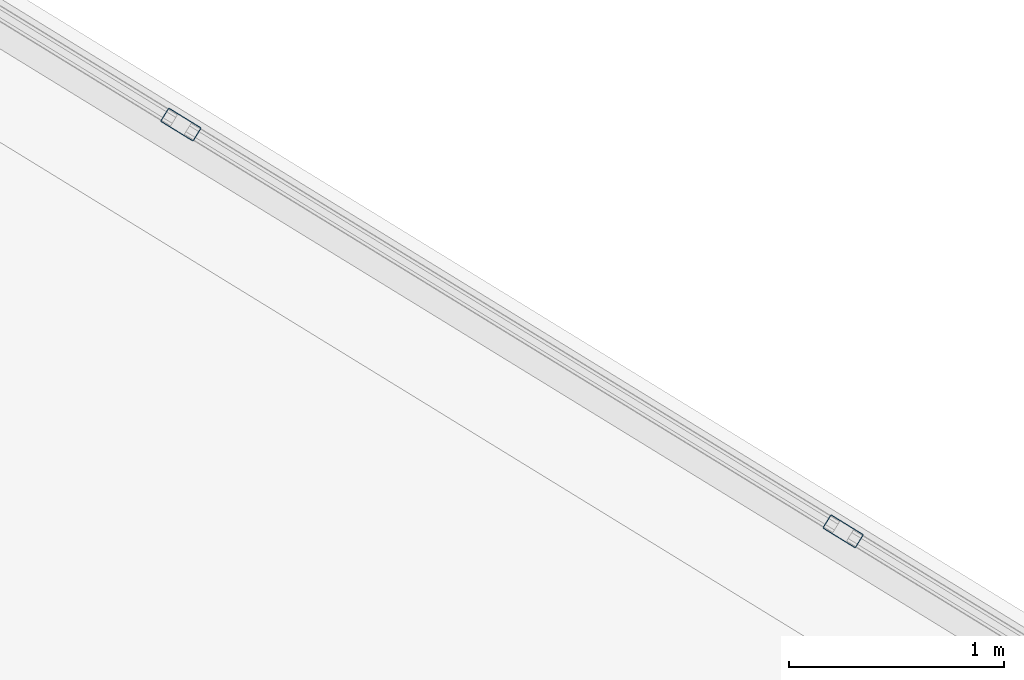
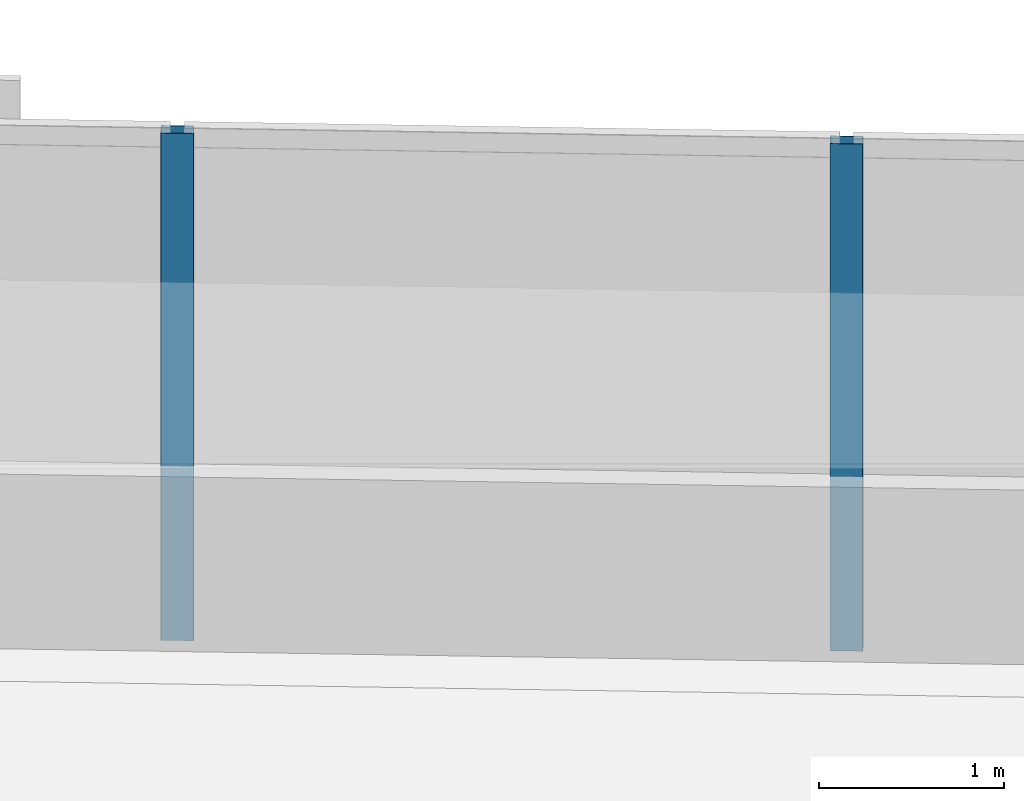
# One storey, part 8 of 18: 2 members, 1 element without a shape of its own.
"""IFC4 building model written with IfcOpenShell, lengths in metres."""

from ifc_helpers import new_model, si_unit, direction, frame, origin, origin_2d, place, context, subcontext, project, spatial, hollow_rectangle, extrude, material, material_profile, profile_set, type_object, element, aggregate, save


model = new_model("IFC4")

# Units and contexts
model_context = context("Model", 3, precision=1e-05, world=origin(), true_north=direction((0.0, 1.0)))
body_context = subcontext(model_context, "Body", "Model", "MODEL_VIEW")
ifc_project = project(units=[si_unit("LENGTHUNIT", "METRE"), si_unit("AREAUNIT", "SQUARE_METRE"), si_unit("VOLUMEUNIT", "CUBIC_METRE"), si_unit("PLANEANGLEUNIT", "RADIAN"), si_unit("MASSUNIT", "GRAM", prefix="KILO")], contexts=[model_context])

# Site, building, storey
site_placement = place(None, origin())
site = spatial("IfcSite", under=ifc_project, at=site_placement, CompositionType="ELEMENT")
building_placement = place(site_placement, origin())
building = spatial("IfcBuilding", under=site, at=building_placement, Name="Narakoshi Arena Tower", CompositionType="ELEMENT")
storey_placement = place(building_placement, frame((0.0, 0.0, 99.300048828125)))
storey = spatial("IfcBuildingStorey", under=building, at=storey_placement, Name="L26", CompositionType="ELEMENT", Elevation=99.300048828125)

# Curtain wall, members
ifc_material = material(Name="Anodised bronze aluminium 6063-T6", Category="aluminium")
curtain_wall_type = type_object("IfcCurtainWallType", Name="CW-HYP-LOW", PredefinedType="NOTDEFINED", material=ifc_material)
curtain_wall_placement = place(storey_placement, origin())
curtain_wall = element("IfcCurtainWall", 1, at=curtain_wall_placement, inside=storey, type_object=curtain_wall_type, Name="L26 Folded Hypotenuse Curtain Wall 1-1", PredefinedType="NOTDEFINED")
ifc_material_profile = material_profile(ifc_material, hollow_rectangle(XDim=0.074951171875, YDim=0.179931640625, WallThickness=0.00390625, OuterFilletRadius=0.0048828125, at=origin_2d()), Name="MUL180x75x4")
ifc_profile_set = profile_set([ifc_material_profile], Name="Anodised bronze aluminium 6063-T6")
member_type = type_object("IfcMemberType", Name="MEM-MUL-180", PredefinedType="MULLION", material=ifc_profile_set)
member_1_placement = place(storey_placement, frame((109.9638671875, 49.1982421875, 0.0), z_axis=(0.0, 0.0, 1.0), x_axis=(-0.523357676535, -0.852113104237, 0.0)))
member_1 = element("IfcMember", 2, at=member_1_placement, type_object=member_type, Name="CW-01 mullion 4", PredefinedType="MULLION", context=body_context, shape_type="SweptSolid", body=[
    extrude(hollow_rectangle(XDim=0.074951171875, YDim=0.179931640625, WallThickness=0.00390625, OuterFilletRadius=0.0048828125, at=origin_2d()), origin(), (0.0, 0.0, 1.0), 3.33984375),
])
member_2_placement = place(storey_placement, frame((106.886962890625, 51.088134765625, 0.0), z_axis=(0.0, 0.0, 1.0), x_axis=(-0.523357676535, -0.852113104237, 0.0)))
member_2 = element("IfcMember", 3, at=member_2_placement, type_object=member_type, Name="CW-01 mullion 5", PredefinedType="MULLION", context=body_context, shape_type="SweptSolid", body=[
    extrude(hollow_rectangle(XDim=0.074951171875, YDim=0.179931640625, WallThickness=0.00390625, OuterFilletRadius=0.0048828125, at=origin_2d()), origin(), (0.0, 0.0, 1.0), 3.33984375),
])
aggregate(curtain_wall, [member_1, member_2])

save(model, "model.ifc")
